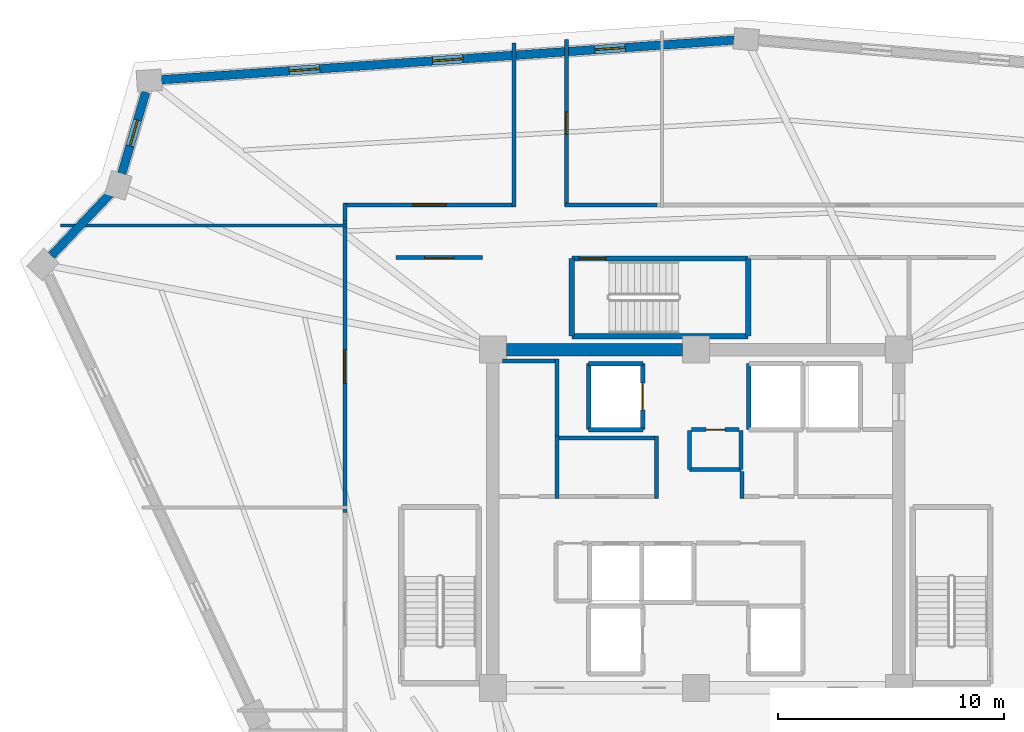
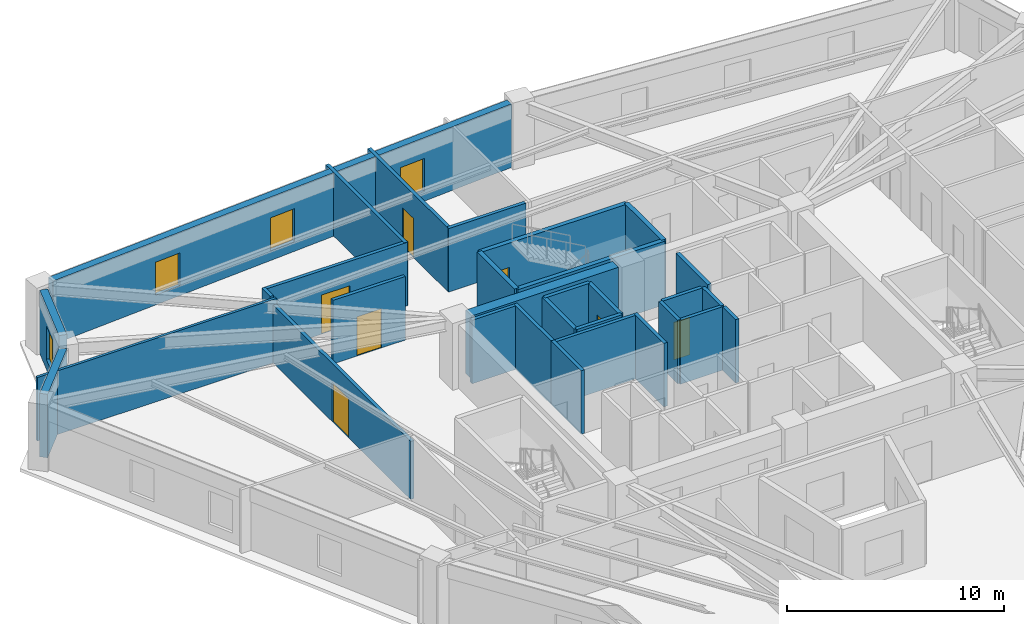
# One storey, part 5 of 8: 31 walls, 7 doors, 4 windows, 11 openings.
"""IFC4 building model written with IfcOpenShell, lengths in metres."""

from ifc_helpers import new_model, si_unit, direction, frame, frame_2d, origin, place, context, subcontext, project, spatial, rectangle, extrude, source, transform, mapped, material, layer, layer_set, type_object, element, fill, save


model = new_model("IFC4")

# Units and contexts
model_context = context("Model", 3, precision=1e-05, world=origin(), true_north=direction((0.0, 1.0)))
body_context = subcontext(model_context, "Body", "Model", "MODEL_VIEW")
ifc_project = project(units=[si_unit("LENGTHUNIT", "METRE"), si_unit("AREAUNIT", "SQUARE_METRE"), si_unit("VOLUMEUNIT", "CUBIC_METRE"), si_unit("PLANEANGLEUNIT", "RADIAN"), si_unit("MASSUNIT", "GRAM", prefix="KILO")], contexts=[model_context])

# Site, building, storey
site_placement = place(None, origin())
site = spatial("IfcSite", under=ifc_project, at=site_placement, CompositionType="ELEMENT")
building_placement = place(site_placement, origin())
building = spatial("IfcBuilding", under=site, at=building_placement, Name="Liaohun Quay Tower", CompositionType="ELEMENT")
storey_placement = place(building_placement, frame((0.0, 0.0, 343.5)))
storey = spatial("IfcBuildingStorey", under=building, at=storey_placement, Name="L89", CompositionType="ELEMENT", Elevation=343.5)

# Wall
ifc_material_1 = material(Name="Concrete C50", Category="concrete")
ifc_layer_1 = layer(ifc_material_1, 0.550048828125, Name="Concrete C50", Category="concrete")
ifc_layer_set_1 = layer_set([ifc_layer_1], Name="Concrete C50")
wall_type_1 = type_object("IfcWallType", Name="WAL-COR-Z4", PredefinedType="SHEAR", material=ifc_layer_set_1)
wall_1_placement = place(storey_placement, frame((51.60009765625, 61.5, 0.0), z_axis=(0.0, 0.0, 1.0), x_axis=(1.0, 0.0, 0.0)))
element("IfcWall", 1, at=wall_1_placement, inside=storey, type_object=wall_type_1, Name="L89 Central Core Shear Wall N-W", PredefinedType="SHEAR", context=body_context, shape_type="SweptSolid", body=[
    extrude(rectangle(XDim=7.7998046875, YDim=0.550048828125, at=frame_2d((3.89990234375, 0.0))), origin(), (0.0, 0.0, 1.0), 3.570068359375),
])

# Wall, openings, windows
ifc_material_2 = material(Name="Precast concrete C50 insulated sandwich", Category="concrete")
ifc_layer_2 = layer(ifc_material_2, 0.3798828125, Name="Precast concrete C50 insulated sandwich", Category="concrete")
ifc_layer_set_2 = layer_set([ifc_layer_2], Name="Precast concrete C50 insulated sandwich")
wall_type_2 = type_object("IfcWallType", Name="WAL-EXT-Z34", PredefinedType="SOLIDWALL", material=ifc_layer_set_2)
wall_2_placement = place(storey_placement, frame((61.695068359375, 75.22607421875, 0.0), z_axis=(0.0, 0.0, 1.0), x_axis=(-0.997609466084, -0.06910393027, 0.0)))
wall_2 = element("IfcWall", 2, at=wall_2_placement, inside=storey, type_object=wall_type_2, Name="L89 Brutalist Precast Pier Wall 07", PredefinedType="SOLIDWALL", context=body_context, shape_type="SweptSolid", body=[
    extrude(rectangle(XDim=25.454833984375, YDim=0.3798828125, at=frame_2d((12.7275390625, 0.0))), origin(), (0.0, 0.0, 1.0), 3.570068359375),
])
shared_shape_1 = source(origin(), body_context, "Body", "SweptSolid", [
    extrude(rectangle(XDim=1.35009765625, YDim=1.85009765625, at=frame_2d((0.675048828125, 0.925048828125))), frame((0.0, 0.199951171875, 0.0), z_axis=(0.0, -1.0, 0.0), x_axis=(1.0, 0.0, 0.0)), (0.0, 0.0, 1.0), 0.39990234375),
])
opening_1_placement = place(wall_2_placement, frame((4.839111328125, 0.0, 0.550048828125)))
opening_1 = element("IfcOpeningElement", 3, at=opening_1_placement, cuts=wall_2, Name="Opening W04", PredefinedType="OPENING", context=body_context, shape_type="MappedRepresentation", body=[
    mapped(shared_shape_1, transform((0.0, 0.0, 0.0), x_axis=(1.0, 0.0, 0.0), y_axis=(0.0, 1.0, 0.0), z_axis=(0.0, 0.0, 1.0), scale=1.0)),
])
opening_2_placement = place(wall_2_placement, frame((12.052001953125, 0.0, 0.550048828125)))
opening_2 = element("IfcOpeningElement", 4, at=opening_2_placement, cuts=wall_2, Name="Opening W04", PredefinedType="OPENING", context=body_context, shape_type="MappedRepresentation", body=[
    mapped(shared_shape_1, transform((0.0, 0.0, 0.0), x_axis=(1.0, 0.0, 0.0), y_axis=(0.0, 1.0, 0.0), z_axis=(0.0, 0.0, 1.0), scale=1.0)),
])
opening_3_placement = place(wall_2_placement, frame((18.416015625, 0.0, 0.550048828125)))
opening_3 = element("IfcOpeningElement", 5, at=opening_3_placement, cuts=wall_2, Name="Opening W04", PredefinedType="OPENING", context=body_context, shape_type="MappedRepresentation", body=[
    mapped(shared_shape_1, transform((0.0, 0.0, 0.0), x_axis=(1.0, 0.0, 0.0), y_axis=(0.0, 1.0, 0.0), z_axis=(0.0, 0.0, 1.0), scale=1.0)),
])
ifc_material_3 = material(Name="Triple Low-E argon glazing in thermally broken aluminium", Category="aluminium")
window_type_1 = type_object("IfcWindowType", Name="WIN-PUN-Z4", PartitioningType="SINGLE_PANEL", PredefinedType="WINDOW", material=ifc_material_3)
shared_shape_2 = source(origin(), body_context, "Body", "SweptSolid", [
    extrude(rectangle(XDim=1.35009765625, YDim=1.85009765625, at=frame_2d((0.675048828125, 0.925048828125))), frame((0.0, 0.030029296875, 0.0), z_axis=(0.0, -1.0, 0.0), x_axis=(1.0, 0.0, 0.0)), (0.0, 0.0, 1.0), 0.06005859375),
])
window_1_placement = place(opening_1_placement, origin())
window_1 = element("IfcWindow", 6, at=window_1_placement, inside=storey, type_object=window_type_1, Name="L89 Recessed Cold-Climate Punched Window 07-1", OverallHeight=1.85009765625, OverallWidth=1.35009765625, PartitioningType="SINGLE_PANEL", PredefinedType="WINDOW", context=body_context, shape_type="MappedRepresentation", body=[
    mapped(shared_shape_2, transform((0.0, 0.0, 0.0), x_axis=(1.0, 0.0, 0.0), y_axis=(0.0, 1.0, 0.0), z_axis=(0.0, 0.0, 1.0), scale=1.0)),
])
fill(opening_1, window_1)
window_2_placement = place(opening_2_placement, origin())
window_2 = element("IfcWindow", 7, at=window_2_placement, inside=storey, type_object=window_type_1, Name="L89 Recessed Cold-Climate Punched Window 07-2", OverallHeight=1.85009765625, OverallWidth=1.35009765625, PartitioningType="SINGLE_PANEL", PredefinedType="WINDOW", context=body_context, shape_type="MappedRepresentation", body=[
    mapped(shared_shape_2, transform((0.0, 0.0, 0.0), x_axis=(1.0, 0.0, 0.0), y_axis=(0.0, 1.0, 0.0), z_axis=(0.0, 0.0, 1.0), scale=1.0)),
])
fill(opening_2, window_2)
window_3_placement = place(opening_3_placement, origin())
window_3 = element("IfcWindow", 8, at=window_3_placement, inside=storey, type_object=window_type_1, Name="L89 Recessed Cold-Climate Punched Window 07-3", OverallHeight=1.85009765625, OverallWidth=1.35009765625, PartitioningType="SINGLE_PANEL", PredefinedType="WINDOW", context=body_context, shape_type="MappedRepresentation", body=[
    mapped(shared_shape_2, transform((0.0, 0.0, 0.0), x_axis=(1.0, 0.0, 0.0), y_axis=(0.0, 1.0, 0.0), z_axis=(0.0, 0.0, 1.0), scale=1.0)),
])
fill(opening_3, window_3)

# Wall, opening, window
wall_3_placement = place(storey_placement, frame((35.60888671875, 72.912109375, 0.0), z_axis=(0.0, 0.0, 1.0), x_axis=(-0.282457827071, -0.959279717249, 0.0)))
wall_3 = element("IfcWall", 9, at=wall_3_placement, inside=storey, type_object=wall_type_2, Name="L89 Brutalist Precast Pier Wall 08", PredefinedType="SOLIDWALL", context=body_context, shape_type="SweptSolid", body=[
    extrude(rectangle(XDim=3.763427734375, YDim=0.3798828125, at=frame_2d((1.8818359375, 0.0))), origin(), (0.0, 0.0, 1.0), 3.570068359375),
])
shared_shape_3 = source(origin(), body_context, "Body", "SweptSolid", [
    extrude(rectangle(XDim=1.199951171875, YDim=1.89990234375, at=frame_2d((0.60009765625, 0.949951171875))), frame((0.0, 0.199951171875, 0.0), z_axis=(0.0, -1.0, 0.0), x_axis=(1.0, 0.0, 0.0)), (0.0, 0.0, 1.0), 0.39990234375),
])
opening_4_placement = place(wall_3_placement, frame((1.281982421875, 0.0, 0.550048828125)))
opening_4 = element("IfcOpeningElement", 10, at=opening_4_placement, cuts=wall_3, Name="Opening W05", PredefinedType="OPENING", context=body_context, shape_type="MappedRepresentation", body=[
    mapped(shared_shape_3, transform((0.0, 0.0, 0.0), x_axis=(1.0, 0.0, 0.0), y_axis=(0.0, 1.0, 0.0), z_axis=(0.0, 0.0, 1.0), scale=1.0)),
])
ifc_material_4 = material(Name="Triple Low-E corner notch glazing", Category="glass")
window_type_2 = type_object("IfcWindowType", Name="WIN-NOTCH", PartitioningType="SINGLE_PANEL", PredefinedType="WINDOW", material=ifc_material_4)
shared_shape_4 = source(origin(), body_context, "Body", "SweptSolid", [
    extrude(rectangle(XDim=1.199951171875, YDim=1.89990234375, at=frame_2d((0.60009765625, 0.949951171875))), frame((0.0, 0.030029296875, 0.0), z_axis=(0.0, -1.0, 0.0), x_axis=(1.0, 0.0, 0.0)), (0.0, 0.0, 1.0), 0.06005859375),
])
window_4_placement = place(opening_4_placement, origin())
window_4 = element("IfcWindow", 11, at=window_4_placement, inside=storey, type_object=window_type_2, Name="L89 Corner Notch Window W05-08", OverallHeight=1.89990234375, OverallWidth=1.199951171875, PartitioningType="SINGLE_PANEL", PredefinedType="WINDOW", context=body_context, shape_type="MappedRepresentation", body=[
    mapped(shared_shape_4, transform((0.0, 0.0, 0.0), x_axis=(1.0, 0.0, 0.0), y_axis=(0.0, 1.0, 0.0), z_axis=(0.0, 0.0, 1.0), scale=1.0)),
])
fill(opening_4, window_4)

# Wall
wall_4_placement = place(storey_placement, frame((34.02099609375, 68.39306640625, 0.0), z_axis=(0.0, 0.0, 1.0), x_axis=(-0.689516179324, -0.724270279972, 0.0)))
element("IfcWall", 12, at=wall_4_placement, inside=storey, type_object=wall_type_2, Name="L89 Brutalist Precast Pier Wall 09", PredefinedType="SOLIDWALL", context=body_context, shape_type="SweptSolid", body=[
    extrude(rectangle(XDim=3.772216796875, YDim=0.3798828125, at=frame_2d((1.88623046875, 0.0))), origin(), (0.0, 0.0, 1.0), 3.570068359375),
])

# Wall, opening, door
ifc_material_5 = material(Name="Autoclaved aerated concrete blockwork", Category="masonry")
ifc_layer_3 = layer(ifc_material_5, 0.179931640625, Name="Autoclaved aerated concrete blockwork", Category="masonry")
ifc_layer_set_3 = layer_set([ifc_layer_3], Name="Autoclaved aerated concrete blockwork")
wall_type_3 = type_object("IfcWallType", Name="WAL-PRT-COR", PredefinedType="PARTITIONING", material=ifc_layer_set_3)
wall_5_placement = place(storey_placement, frame((59.81005859375, 57.949951171875, 0.0), z_axis=(0.0, 0.0, 1.0), x_axis=(1.0, 0.0, 0.0)))
wall_5 = element("IfcWall", 13, at=wall_5_placement, inside=storey, type_object=wall_type_3, Name="L89 Interior Partition Wall 006", PredefinedType="PARTITIONING", context=body_context, shape_type="SweptSolid", body=[
    extrude(rectangle(XDim=2.10986328125, YDim=0.179931640625, at=frame_2d((1.054931640625, 0.0))), origin(), (0.0, 0.0, 1.0), 3.570068359375),
])
shared_shape_5 = source(origin(), body_context, "Body", "SweptSolid", [
    extrude(rectangle(XDim=0.85009765625, YDim=2.10009765625, at=frame_2d((0.425048828125, 1.050048828125))), frame((0.0, 0.099853515625, 0.0), z_axis=(0.0, -1.0, 0.0), x_axis=(1.0, 0.0, 0.0)), (0.0, 0.0, 1.0), 0.199951171875),
])
opening_5_placement = place(wall_5_placement, frame((0.635009765625, 0.0, 0.0)))
opening_5 = element("IfcOpeningElement", 14, at=opening_5_placement, cuts=wall_5, Name="Opening AD1", PredefinedType="OPENING", context=body_context, shape_type="MappedRepresentation", body=[
    mapped(shared_shape_5, transform((0.0, 0.0, 0.0), x_axis=(1.0, 0.0, 0.0), y_axis=(0.0, 1.0, 0.0), z_axis=(0.0, 0.0, 1.0), scale=1.0)),
])
ifc_material_6 = material(Name="Steel riser inspection fire door", Category="steel")
door_type_1 = type_object("IfcDoorType", Name="DOR-SHF-850", OperationType="NOTDEFINED", PredefinedType="DOOR", material=ifc_material_6)
shared_shape_6 = source(origin(), body_context, "Body", "SweptSolid", [
    extrude(rectangle(XDim=0.85009765625, YDim=2.10009765625, at=frame_2d((0.425048828125, 1.050048828125))), frame((0.0, 0.02490234375, 0.0), z_axis=(0.0, -1.0, 0.0), x_axis=(1.0, 0.0, 0.0)), (0.0, 0.0, 1.0), 0.050048828125),
])
door_1_placement = place(opening_5_placement, origin())
door_1 = element("IfcDoor", 15, at=door_1_placement, inside=storey, type_object=door_type_1, Name="L89 Core Janitor and Cleaner Store Door", OperationType="SINGLE_SWING_RIGHT", OverallHeight=2.10009765625, OverallWidth=0.85009765625, PredefinedType="DOOR", context=body_context, shape_type="MappedRepresentation", body=[
    mapped(shared_shape_6, transform((0.0, 0.0, 0.0), x_axis=(1.0, 0.0, 0.0), y_axis=(0.0, 1.0, 0.0), z_axis=(0.0, 0.0, 1.0), scale=1.0)),
])
fill(opening_5, door_1)

wall_6_placement = place(storey_placement, frame((46.699951171875, 65.580078125, 0.0), z_axis=(0.0, 0.0, 1.0), x_axis=(1.0, 0.0, 0.0)))
wall_6 = element("IfcWall", 16, at=wall_6_placement, inside=storey, type_object=wall_type_3, Name="L89 Interior Partition Wall 013", PredefinedType="PARTITIONING", context=body_context, shape_type="SweptSolid", body=[
    extrude(rectangle(XDim=3.840087890625, YDim=0.179931640625, at=frame_2d((1.919921875, 0.0))), origin(), (0.0, 0.0, 1.0), 3.570068359375),
])
shared_shape_7 = source(origin(), body_context, "Body", "SweptSolid", [
    extrude(rectangle(XDim=1.300048828125, YDim=2.199951171875, at=frame_2d((0.64990234375, 1.10009765625))), frame((0.0, 0.099853515625, 0.0), z_axis=(0.0, -1.0, 0.0), x_axis=(1.0, 0.0, 0.0)), (0.0, 0.0, 1.0), 0.199951171875),
])
opening_6_placement = place(wall_6_placement, frame((1.27001953125, 0.0, 0.0)))
opening_6 = element("IfcOpeningElement", 17, at=opening_6_placement, cuts=wall_6, Name="Opening FD1", PredefinedType="OPENING", context=body_context, shape_type="MappedRepresentation", body=[
    mapped(shared_shape_7, transform((0.0, 0.0, 0.0), x_axis=(1.0, 0.0, 0.0), y_axis=(0.0, 1.0, 0.0), z_axis=(0.0, 0.0, 1.0), scale=1.0)),
])
ifc_material_7 = material(Name="Galvanised steel smokeproof fire door", Category="steel")
door_type_2 = type_object("IfcDoorType", Name="DOR-FFL-1300", OperationType="NOTDEFINED", PredefinedType="DOOR", material=ifc_material_7)
shared_shape_8 = source(origin(), body_context, "Body", "SweptSolid", [
    extrude(rectangle(XDim=1.300048828125, YDim=2.199951171875, at=frame_2d((0.64990234375, 1.10009765625))), frame((0.0, 0.02490234375, 0.0), z_axis=(0.0, -1.0, 0.0), x_axis=(1.0, 0.0, 0.0)), (0.0, 0.0, 1.0), 0.050048828125),
])
door_2_placement = place(opening_6_placement, origin())
door_2 = element("IfcDoor", 18, at=door_2_placement, inside=storey, type_object=door_type_2, Name="L89 West Core Vestibule Door", OperationType="SINGLE_SWING_LEFT", OverallHeight=2.199951171875, OverallWidth=1.300048828125, PredefinedType="DOOR", context=body_context, shape_type="MappedRepresentation", body=[
    mapped(shared_shape_8, transform((0.0, 0.0, 0.0), x_axis=(1.0, 0.0, 0.0), y_axis=(0.0, 1.0, 0.0), z_axis=(0.0, 0.0, 1.0), scale=1.0)),
])
fill(opening_6, door_2)

wall_7_placement = place(storey_placement, frame((54.260009765625, 75.251953125, 0.0), z_axis=(0.0, 0.0, 1.0), x_axis=(0.0, -1.0, 0.0)))
wall_7 = element("IfcWall", 19, at=wall_7_placement, inside=storey, type_object=wall_type_3, Name="L89 Interior Partition Wall 017", PredefinedType="PARTITIONING", context=body_context, shape_type="SweptSolid", body=[
    extrude(rectangle(XDim=7.411865234375, YDim=0.179931640625, at=frame_2d((3.7060546875, 0.0))), origin(), (0.0, 0.0, 1.0), 3.570068359375),
])
shared_shape_9 = source(origin(), body_context, "Body", "SweptSolid", [
    extrude(rectangle(XDim=1.0, YDim=2.199951171875, at=frame_2d((0.5, 1.10009765625))), frame((0.0, 0.099853515625, 0.0), z_axis=(0.0, -1.0, 0.0), x_axis=(1.0, 0.0, 0.0)), (0.0, 0.0, 1.0), 0.199951171875),
])
opening_7_placement = place(wall_7_placement, frame((3.2060546875, 0.0, 0.0)))
opening_7 = element("IfcOpeningElement", 20, at=opening_7_placement, cuts=wall_7, Name="Opening OD1", PredefinedType="OPENING", context=body_context, shape_type="MappedRepresentation", body=[
    mapped(shared_shape_9, transform((0.0, 0.0, 0.0), x_axis=(1.0, 0.0, 0.0), y_axis=(0.0, 1.0, 0.0), z_axis=(0.0, 0.0, 1.0), scale=1.0)),
])
ifc_material_8 = material(Name="Solid-core oak veneer timber leaf in steel frame", Category="steel")
door_type_3 = type_object("IfcDoorType", Name="DOR-OFF-1000", OperationType="NOTDEFINED", PredefinedType="DOOR", material=ifc_material_8)
shared_shape_10 = source(origin(), body_context, "Body", "SweptSolid", [
    extrude(rectangle(XDim=1.0, YDim=2.199951171875, at=frame_2d((0.5, 1.10009765625))), frame((0.0, 0.02490234375, 0.0), z_axis=(0.0, -1.0, 0.0), x_axis=(1.0, 0.0, 0.0)), (0.0, 0.0, 1.0), 0.050048828125),
])
door_3_placement = place(opening_7_placement, origin())
door_3 = element("IfcDoor", 21, at=door_3_placement, inside=storey, type_object=door_type_3, Name="L89 Client Collaboration Lounge 03 Door", OperationType="SINGLE_SWING_LEFT", OverallHeight=2.199951171875, OverallWidth=1.0, PredefinedType="DOOR", context=body_context, shape_type="MappedRepresentation", body=[
    mapped(shared_shape_10, transform((0.0, 0.0, 0.0), x_axis=(1.0, 0.0, 0.0), y_axis=(0.0, 1.0, 0.0), z_axis=(0.0, 0.0, 1.0), scale=1.0)),
])
fill(opening_7, door_3)

wall_8_placement = place(storey_placement, frame((44.3701171875, 67.909912109375, 0.0), z_axis=(0.0, 0.0, 1.0), x_axis=(1.0, 0.0, 0.0)))
wall_8 = element("IfcWall", 22, at=wall_8_placement, inside=storey, type_object=wall_type_3, Name="L89 Interior Partition Wall 018", PredefinedType="PARTITIONING", context=body_context, shape_type="SweptSolid", body=[
    extrude(rectangle(XDim=7.639892578125, YDim=0.179931640625, at=frame_2d((3.81982421875, 0.0))), origin(), (0.0, 0.0, 1.0), 3.570068359375),
])
shared_shape_11 = source(origin(), body_context, "Body", "SweptSolid", [
    extrude(rectangle(XDim=1.5, YDim=2.199951171875, at=frame_2d((0.75, 1.10009765625))), frame((0.0, 0.099853515625, 0.0), z_axis=(0.0, -1.0, 0.0), x_axis=(1.0, 0.0, 0.0)), (0.0, 0.0, 1.0), 0.199951171875),
])
opening_8_placement = place(wall_8_placement, frame((3.070068359375, 0.0, 0.0)))
opening_8 = element("IfcOpeningElement", 23, at=opening_8_placement, cuts=wall_8, Name="Opening OD2", PredefinedType="OPENING", context=body_context, shape_type="MappedRepresentation", body=[
    mapped(shared_shape_11, transform((0.0, 0.0, 0.0), x_axis=(1.0, 0.0, 0.0), y_axis=(0.0, 1.0, 0.0), z_axis=(0.0, 0.0, 1.0), scale=1.0)),
])
ifc_material_9 = material(Name="Acoustic oak veneer double door")
door_type_4 = type_object("IfcDoorType", Name="DOR-OFF-1500", OperationType="DOUBLE_DOOR_SINGLE_SWING", PredefinedType="DOOR", material=ifc_material_9)
shared_shape_12 = source(origin(), body_context, "Body", "SweptSolid", [
    extrude(rectangle(XDim=1.5, YDim=2.199951171875, at=frame_2d((0.75, 1.10009765625))), frame((0.0, 0.02490234375, 0.0), z_axis=(0.0, -1.0, 0.0), x_axis=(1.0, 0.0, 0.0)), (0.0, 0.0, 1.0), 0.050048828125),
])
door_4_placement = place(opening_8_placement, origin())
door_4 = element("IfcDoor", 24, at=door_4_placement, inside=storey, type_object=door_type_4, Name="L89 Project Collaboration Studio 04 Door", OperationType="DOUBLE_DOOR_SINGLE_SWING", OverallHeight=2.199951171875, OverallWidth=1.5, PredefinedType="DOOR", context=body_context, shape_type="MappedRepresentation", body=[
    mapped(shared_shape_12, transform((0.0, 0.0, 0.0), x_axis=(1.0, 0.0, 0.0), y_axis=(0.0, 1.0, 0.0), z_axis=(0.0, 0.0, 1.0), scale=1.0)),
])
fill(opening_8, door_4)

wall_9_placement = place(storey_placement, frame((44.43994140625, 54.284912109375, 0.0), z_axis=(0.0, 0.0, 1.0), x_axis=(0.0, 1.0, 0.0)))
wall_9 = element("IfcWall", 25, at=wall_9_placement, inside=storey, type_object=wall_type_3, Name="L89 Interior Partition Wall 019", PredefinedType="PARTITIONING", context=body_context, shape_type="SweptSolid", body=[
    extrude(rectangle(XDim=12.93017578125, YDim=0.179931640625, at=frame_2d((6.465087890625, 0.0))), origin(), (0.0, 0.0, 1.0), 3.260986328125),
])
opening_9_placement = place(wall_9_placement, frame((5.715087890625, 0.0, 0.0)))
opening_9 = element("IfcOpeningElement", 26, at=opening_9_placement, cuts=wall_9, Name="Opening OD2", PredefinedType="OPENING", context=body_context, shape_type="MappedRepresentation", body=[
    mapped(shared_shape_11, transform((0.0, 0.0, 0.0), x_axis=(1.0, 0.0, 0.0), y_axis=(0.0, 1.0, 0.0), z_axis=(0.0, 0.0, 1.0), scale=1.0)),
])
door_5_placement = place(opening_9_placement, origin())
door_5 = element("IfcDoor", 27, at=door_5_placement, inside=storey, type_object=door_type_4, Name="L89 Corporate Exhibition Gallery 05 Door", OperationType="DOUBLE_DOOR_SINGLE_SWING", OverallHeight=2.199951171875, OverallWidth=1.5, PredefinedType="DOOR", context=body_context, shape_type="MappedRepresentation", body=[
    mapped(shared_shape_12, transform((0.0, 0.0, 0.0), x_axis=(1.0, 0.0, 0.0), y_axis=(0.0, 1.0, 0.0), z_axis=(0.0, 0.0, 1.0), scale=1.0)),
])
fill(opening_9, door_5)

# Walls
for number, where, z_axis, x_axis, name in (
    (28, (59.719970703125, 56.179931640625, 0.0), (0.0, 0.0, 1.0), (0.0, 1.0, 0.0), "L89 Interior Partition Wall 027"),
    (29, (62.010009765625, 56.179931640625, 0.0), (0.0, 0.0, 1.0), (0.0, 1.0, 0.0), "L89 Interior Partition Wall 028"),
):
    element("IfcWall", number, at=place(storey_placement, frame(where, z_axis=z_axis, x_axis=x_axis)), inside=storey, type_object=wall_type_3, Name=name, PredefinedType="PARTITIONING", context=body_context, shape_type="SweptSolid", body=[
        extrude(rectangle(XDim=1.739990234375, YDim=0.179931640625, at=frame_2d((0.8701171875, 0.0))), origin(), (0.0, 0.0, 1.0), 3.570068359375),
    ])
wall_10_placement = place(storey_placement, frame((59.719970703125, 56.179931640625, 0.0), z_axis=(0.0, 0.0, 1.0), x_axis=(1.0, 0.0, 0.0)))
element("IfcWall", 30, at=wall_10_placement, inside=storey, type_object=wall_type_3, Name="L89 Interior Partition Wall 029", PredefinedType="PARTITIONING", context=body_context, shape_type="SweptSolid", body=[
    extrude(rectangle(XDim=2.2900390625, YDim=0.179931640625, at=frame_2d((1.14501953125, 0.0))), origin(), (0.0, 0.0, 1.0), 3.570068359375),
])
wall_11_placement = place(storey_placement, frame((54.18994140625, 67.909912109375, 0.0), z_axis=(0.0, 0.0, 1.0), x_axis=(1.0, 0.0, 0.0)))
element("IfcWall", 31, at=wall_11_placement, inside=storey, type_object=wall_type_3, Name="L89 Interior Partition Wall 041", PredefinedType="PARTITIONING", context=body_context, shape_type="SweptSolid", body=[
    extrude(rectangle(XDim=4.094970703125, YDim=0.179931640625, at=frame_2d((2.04736328125, 0.0))), origin(), (0.0, 0.0, 1.0), 3.570068359375),
])
wall_12_placement = place(storey_placement, frame((51.93994140625, 67.840087890625, 0.0), z_axis=(0.0, 0.0, 1.0), x_axis=(0.0, 1.0, 0.0)))
element("IfcWall", 32, at=wall_12_placement, inside=storey, type_object=wall_type_3, Name="L89 Interior Partition Wall 042", PredefinedType="PARTITIONING", context=body_context, shape_type="SweptSolid", body=[
    extrude(rectangle(XDim=7.2509765625, YDim=0.179931640625, at=frame_2d((3.62548828125, 0.0))), origin(), (0.0, 0.0, 1.0), 3.570068359375),
])
wall_13_placement = place(storey_placement, frame((44.43994140625, 67.215087890625, 0.0), z_axis=(0.0, 0.0, 1.0), x_axis=(0.0, 1.0, 0.0)))
element("IfcWall", 33, at=wall_13_placement, inside=storey, type_object=wall_type_3, Name="L89 Interior Partition Wall 043", PredefinedType="PARTITIONING", context=body_context, shape_type="SweptSolid", body=[
    extrude(rectangle(XDim=0.764892578125, YDim=0.179931640625, at=frame_2d((0.38232421875, 0.0))), origin(), (0.0, 0.0, 1.0), 3.570068359375),
])
for number, where, z_axis, x_axis, name in (
    (34, (53.85009765625, 54.889892578125, 0.0), (0.0, 0.0, 1.0), (0.0, 1.0, 0.0), "L89 Interior Partition Wall 060"),
    (35, (58.25, 54.889892578125, 0.0), (0.0, 0.0, 1.0), (0.0, 1.0, 0.0), "L89 Interior Partition Wall 061"),
):
    element("IfcWall", number, at=place(storey_placement, frame(where, z_axis=z_axis, x_axis=x_axis)), inside=storey, type_object=wall_type_3, Name=name, PredefinedType="PARTITIONING", context=body_context, shape_type="SweptSolid", body=[
        extrude(rectangle(XDim=2.780029296875, YDim=0.179931640625, at=frame_2d((1.39013671875, 0.0))), origin(), (0.0, 0.0, 1.0), 3.570068359375),
    ])
wall_14_placement = place(storey_placement, frame((53.93994140625, 57.580078125, 0.0), z_axis=(0.0, 0.0, 1.0), x_axis=(1.0, 0.0, 0.0)))
element("IfcWall", 36, at=wall_14_placement, inside=storey, type_object=wall_type_3, Name="L89 Interior Partition Wall 062", PredefinedType="PARTITIONING", context=body_context, shape_type="SweptSolid", body=[
    extrude(rectangle(XDim=4.219970703125, YDim=0.179931640625, at=frame_2d((2.10986328125, 0.0))), origin(), (0.0, 0.0, 1.0), 3.570068359375),
])
wall_15_placement = place(storey_placement, frame((53.85009765625, 57.669921875, 0.0), z_axis=(0.0, 0.0, 1.0), x_axis=(0.0, 1.0, 0.0)))
element("IfcWall", 37, at=wall_15_placement, inside=storey, type_object=wall_type_3, Name="L89 Interior Partition Wall 063", PredefinedType="PARTITIONING", context=body_context, shape_type="SweptSolid", body=[
    extrude(rectangle(XDim=3.420166015625, YDim=0.179931640625, at=frame_2d((1.7099609375, 0.0))), origin(), (0.0, 0.0, 1.0), 3.570068359375),
])
wall_16_placement = place(storey_placement, frame((51.43701171875, 61.0, 0.0), z_axis=(0.0, 0.0, 1.0), x_axis=(1.0, 0.0, 0.0)))
element("IfcWall", 38, at=wall_16_placement, inside=storey, type_object=wall_type_3, Name="L89 Interior Partition Wall 064", PredefinedType="PARTITIONING", context=body_context, shape_type="SweptSolid", body=[
    extrude(rectangle(XDim=2.322998046875, YDim=0.179931640625, at=frame_2d((1.16162109375, 0.0))), origin(), (0.0, 0.0, 1.0), 3.570068359375),
])
wall_17_placement = place(storey_placement, frame((62.050048828125, 54.889892578125, 0.0), z_axis=(0.0, 0.0, 1.0), x_axis=(0.0, 1.0, 0.0)))
element("IfcWall", 39, at=wall_17_placement, inside=storey, type_object=wall_type_3, Name="L89 Interior Partition Wall 065", PredefinedType="PARTITIONING", context=body_context, shape_type="SweptSolid", body=[
    extrude(rectangle(XDim=1.2001953125, YDim=0.179931640625, at=frame_2d((0.60009765625, 0.0))), origin(), (0.0, 0.0, 1.0), 3.570068359375),
])
ifc_material_10 = material(Name="Gypsum board on twin steel studs", Category="steel")
ifc_layer_4 = layer(ifc_material_10, 0.139892578125, Name="Gypsum board on twin steel studs", Category="steel")
ifc_layer_set_4 = layer_set([ifc_layer_4], Name="Gypsum board on twin steel studs")
wall_type_4 = type_object("IfcWallType", Name="WAL-PRT-OFF", PredefinedType="PARTITIONING", material=ifc_layer_set_4)
wall_18_placement = place(storey_placement, frame((44.5400390625, 67.0, 0.0), z_axis=(0.0, 0.0, 1.0), x_axis=(-1.0, 0.0, 0.0)))
element("IfcWall", 40, at=wall_18_placement, inside=storey, type_object=wall_type_4, Name="L89 Interior Partition Wall 051", PredefinedType="PARTITIONING", context=body_context, shape_type="SweptSolid", body=[
    extrude(rectangle(XDim=12.715087890625, YDim=0.139892578125, at=frame_2d((6.357421875, 0.0))), origin(), (0.0, 0.0, 1.0), 3.570068359375),
])
ifc_layer_5 = layer(ifc_material_1, 0.239990234375, Name="Concrete C50", Category="concrete")
ifc_layer_set_5 = layer_set([ifc_layer_5], Name="Concrete C50")
wall_type_5 = type_object("IfcWallType", Name="WAL-SHF-200", PredefinedType="SOLIDWALL", material=ifc_layer_set_5)
wall_19_placement = place(storey_placement, frame((54.5, 62.10009765625, 0.0), z_axis=(0.0, 0.0, 1.0), x_axis=(1.0, 0.0, 0.0)))
element("IfcWall", 41, at=wall_19_placement, inside=storey, type_object=wall_type_5, Name="L89 Stairwell ST-3 Structural Core Wall S", PredefinedType="SOLIDWALL", context=body_context, shape_type="SweptSolid", body=[
    extrude(rectangle(XDim=7.820068359375, YDim=0.239990234375, at=frame_2d((3.91015625, 0.0))), origin(), (0.0, 0.0, 1.0), 3.570068359375),
])
wall_20_placement = place(storey_placement, frame((62.320068359375, 62.10009765625, 0.0), z_axis=(0.0, 0.0, 1.0), x_axis=(0.0, 1.0, 0.0)))
element("IfcWall", 42, at=wall_20_placement, inside=storey, type_object=wall_type_5, Name="L89 Stairwell ST-3 Structural Core Wall E", PredefinedType="SOLIDWALL", context=body_context, shape_type="SweptSolid", body=[
    extrude(rectangle(XDim=3.43994140625, YDim=0.239990234375, at=frame_2d((1.719970703125, 0.0))), origin(), (0.0, 0.0, 1.0), 3.570068359375),
])

# Wall, opening, door
wall_21_placement = place(storey_placement, frame((62.320068359375, 65.5400390625, 0.0), z_axis=(0.0, 0.0, 1.0), x_axis=(-1.0, 0.0, 0.0)))
wall_21 = element("IfcWall", 43, at=wall_21_placement, inside=storey, type_object=wall_type_5, Name="L89 Stairwell ST-3 Structural Core Wall N", PredefinedType="SOLIDWALL", context=body_context, shape_type="SweptSolid", body=[
    extrude(rectangle(XDim=7.820068359375, YDim=0.239990234375, at=frame_2d((3.91015625, 0.0))), origin(), (0.0, 0.0, 1.0), 3.570068359375),
])
shared_shape_13 = source(origin(), body_context, "Body", "SweptSolid", [
    extrude(rectangle(XDim=1.199951171875, YDim=2.199951171875, at=frame_2d((0.60009765625, 1.10009765625))), frame((0.0, 0.1298828125, 0.0), z_axis=(0.0, -1.0, 0.0), x_axis=(1.0, 0.0, 0.0)), (0.0, 0.0, 1.0), 0.260009765625),
])
opening_10_placement = place(wall_21_placement, frame((6.300048828125, 0.0, 0.0)))
opening_10 = element("IfcOpeningElement", 44, at=opening_10_placement, cuts=wall_21, Name="Opening SD1", PredefinedType="OPENING", context=body_context, shape_type="MappedRepresentation", body=[
    mapped(shared_shape_13, transform((0.0, 0.0, 0.0), x_axis=(1.0, 0.0, 0.0), y_axis=(0.0, 1.0, 0.0), z_axis=(0.0, 0.0, 1.0), scale=1.0)),
])
ifc_material_11 = material(Name="Galvanised steel fire door", Category="steel")
door_type_5 = type_object("IfcDoorType", Name="DOR-STR-1200", OperationType="NOTDEFINED", PredefinedType="DOOR", material=ifc_material_11)
shared_shape_14 = source(origin(), body_context, "Body", "SweptSolid", [
    extrude(rectangle(XDim=1.199951171875, YDim=2.199951171875, at=frame_2d((0.60009765625, 1.10009765625))), frame((0.0, 0.02490234375, 0.0), z_axis=(0.0, -1.0, 0.0), x_axis=(1.0, 0.0, 0.0)), (0.0, 0.0, 1.0), 0.050048828125),
])
door_6_placement = place(opening_10_placement, origin())
door_6 = element("IfcDoor", 45, at=door_6_placement, inside=storey, type_object=door_type_5, Name="L89 Protected Stair ST-3 Fire Door", OperationType="SINGLE_SWING_RIGHT", OverallHeight=2.199951171875, OverallWidth=1.199951171875, PredefinedType="DOOR", context=body_context, shape_type="MappedRepresentation", body=[
    mapped(shared_shape_14, transform((0.0, 0.0, 0.0), x_axis=(1.0, 0.0, 0.0), y_axis=(0.0, 1.0, 0.0), z_axis=(0.0, 0.0, 1.0), scale=1.0)),
])
fill(opening_10, door_6)

# Walls
wall_22_placement = place(storey_placement, frame((54.5, 65.5400390625, 0.0), z_axis=(0.0, 0.0, 1.0), x_axis=(0.0, -1.0, 0.0)))
element("IfcWall", 46, at=wall_22_placement, inside=storey, type_object=wall_type_5, Name="L89 Stairwell ST-3 Structural Core Wall W", PredefinedType="SOLIDWALL", context=body_context, shape_type="SweptSolid", body=[
    extrude(rectangle(XDim=3.43994140625, YDim=0.239990234375, at=frame_2d((1.719970703125, 0.0))), origin(), (0.0, 0.0, 1.0), 3.570068359375),
])
wall_23_placement = place(storey_placement, frame((55.25, 57.949951171875, 0.0), z_axis=(0.0, 0.0, 1.0), x_axis=(1.0, 0.0, 0.0)))
element("IfcWall", 47, at=wall_23_placement, inside=storey, type_object=wall_type_5, Name="L89 Lift FF-03 Hoistway Wall S", PredefinedType="SOLIDWALL", context=body_context, shape_type="SweptSolid", body=[
    extrude(rectangle(XDim=2.39990234375, YDim=0.199951171875, at=frame_2d((1.199951171875, 0.0))), origin(), (0.0, 0.0, 1.0), 3.570068359375),
])

# Wall, opening, door
wall_24_placement = place(storey_placement, frame((57.64990234375, 57.949951171875, 0.0), z_axis=(0.0, 0.0, 1.0), x_axis=(0.0, 1.0, 0.0)))
wall_24 = element("IfcWall", 48, at=wall_24_placement, inside=storey, type_object=wall_type_5, Name="L89 Lift FF-03 Hoistway Wall E", PredefinedType="SOLIDWALL", context=body_context, shape_type="SweptSolid", body=[
    extrude(rectangle(XDim=2.929931640625, YDim=0.199951171875, at=frame_2d((1.46484375, 0.0))), origin(), (0.0, 0.0, 1.0), 3.570068359375),
])
shared_shape_15 = source(origin(), body_context, "Body", "SweptSolid", [
    extrude(rectangle(XDim=1.199951171875, YDim=2.300048828125, at=frame_2d((0.60009765625, 1.14990234375))), frame((0.0, 0.10986328125, 0.0), z_axis=(0.0, -1.0, 0.0), x_axis=(1.0, 0.0, 0.0)), (0.0, 0.0, 1.0), 0.219970703125),
])
opening_11_placement = place(wall_24_placement, frame((0.864990234375, 0.0, 0.0)))
opening_11 = element("IfcOpeningElement", 49, at=opening_11_placement, cuts=wall_24, Name="Opening LD2", PredefinedType="OPENING", context=body_context, shape_type="MappedRepresentation", body=[
    mapped(shared_shape_15, transform((0.0, 0.0, 0.0), x_axis=(1.0, 0.0, 0.0), y_axis=(0.0, 1.0, 0.0), z_axis=(0.0, 0.0, 1.0), scale=1.0)),
])
ifc_material_12 = material(Name="Brushed stainless steel stretcher landing door", Category="steel")
door_type_6 = type_object("IfcDoorType", Name="DOR-LFT-1200", OperationType="SLIDING_TO_LEFT", PredefinedType="DOOR", material=ifc_material_12)
shared_shape_16 = source(origin(), body_context, "Body", "SweptSolid", [
    extrude(rectangle(XDim=1.199951171875, YDim=2.300048828125, at=frame_2d((0.60009765625, 1.14990234375))), frame((0.0, 0.02490234375, 0.0), z_axis=(0.0, -1.0, 0.0), x_axis=(1.0, 0.0, 0.0)), (0.0, 0.0, 1.0), 0.050048828125),
])
door_7_placement = place(opening_11_placement, origin())
door_7 = element("IfcDoor", 50, at=door_7_placement, inside=storey, type_object=door_type_6, Name="L89 Lift FF-03 Sliding Landing Door", OperationType="SLIDING_TO_LEFT", OverallHeight=2.300048828125, OverallWidth=1.199951171875, PredefinedType="DOOR", context=body_context, shape_type="MappedRepresentation", body=[
    mapped(shared_shape_16, transform((0.0, 0.0, 0.0), x_axis=(1.0, 0.0, 0.0), y_axis=(0.0, 1.0, 0.0), z_axis=(0.0, 0.0, 1.0), scale=1.0)),
])
fill(opening_11, door_7)

# Walls
wall_25_placement = place(storey_placement, frame((57.64990234375, 60.8798828125, 0.0), z_axis=(0.0, 0.0, 1.0), x_axis=(-1.0, 0.0, 0.0)))
element("IfcWall", 51, at=wall_25_placement, inside=storey, type_object=wall_type_5, Name="L89 Lift FF-03 Hoistway Wall N", PredefinedType="SOLIDWALL", context=body_context, shape_type="SweptSolid", body=[
    extrude(rectangle(XDim=2.39990234375, YDim=0.199951171875, at=frame_2d((1.199951171875, 0.0))), origin(), (0.0, 0.0, 1.0), 3.570068359375),
])
for number, where, z_axis, x_axis, name in (
    (52, (55.25, 60.8798828125, 0.0), (0.0, 0.0, 1.0), (0.0, -1.0, 0.0), "L89 Lift FF-03 Hoistway Wall W"),
    (53, (62.35009765625, 60.8798828125, 0.0), (0.0, 0.0, 1.0), (0.0, -1.0, 0.0), "L89 Lift OB-01 Hoistway Wall W"),
):
    element("IfcWall", number, at=place(storey_placement, frame(where, z_axis=z_axis, x_axis=x_axis)), inside=storey, type_object=wall_type_5, Name=name, PredefinedType="SOLIDWALL", context=body_context, shape_type="SweptSolid", body=[
        extrude(rectangle(XDim=2.929931640625, YDim=0.199951171875, at=frame_2d((1.46484375, 0.0))), origin(), (0.0, 0.0, 1.0), 3.570068359375),
    ])

save(model, "model.ifc")
